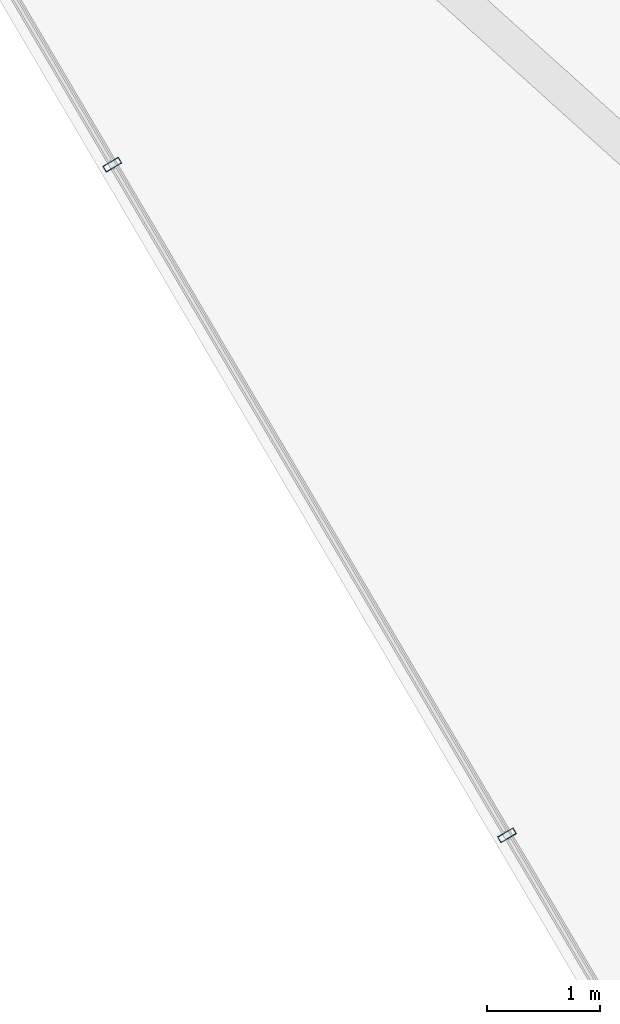
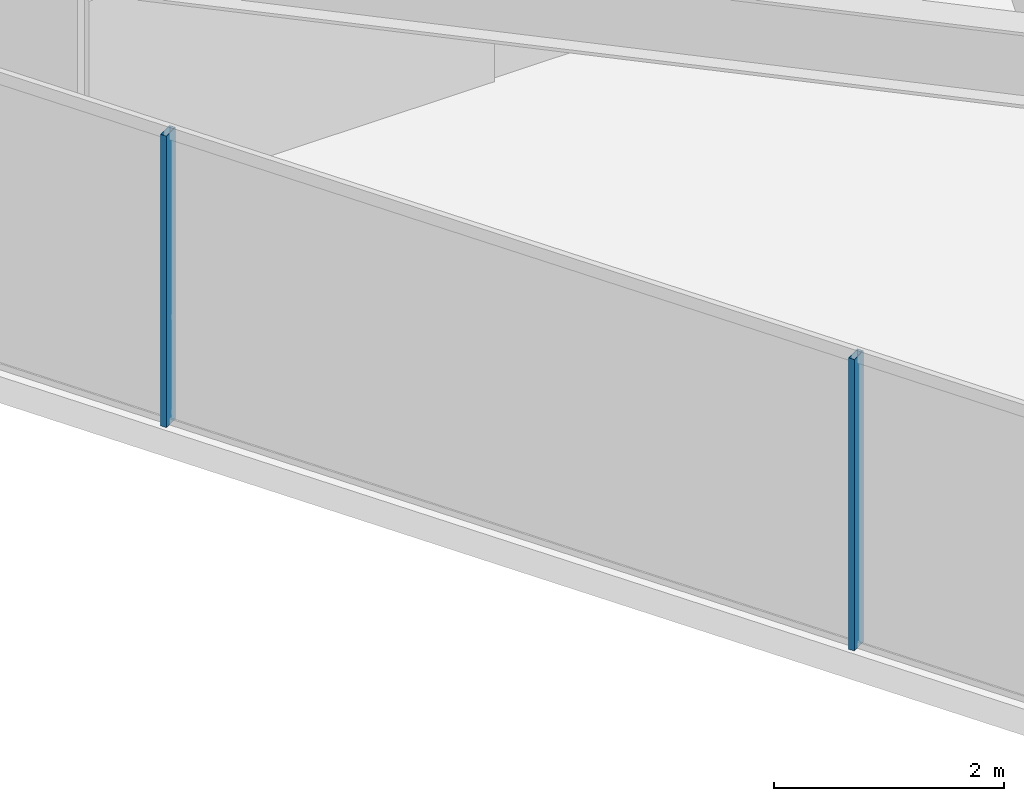
# One storey, part 3 of 31: 2 members, 1 element without a shape of its own.
"""IFC4 building model written with IfcOpenShell, lengths in metres."""

from ifc_helpers import new_model, si_unit, direction, frame, origin, origin_2d, place, context, subcontext, project, spatial, hollow_rectangle, extrude, material, layer, layer_set, material_profile, profile_set, type_object, element, aggregate, save


model = new_model("IFC4")

# Units and contexts
model_context = context("Model", 3, precision=1e-05, world=origin(), true_north=direction((0.0, 1.0)))
body_context = subcontext(model_context, "Body", "Model", "MODEL_VIEW")
ifc_project = project(units=[si_unit("LENGTHUNIT", "METRE"), si_unit("AREAUNIT", "SQUARE_METRE"), si_unit("VOLUMEUNIT", "CUBIC_METRE"), si_unit("PLANEANGLEUNIT", "RADIAN"), si_unit("MASSUNIT", "GRAM", prefix="KILO")], contexts=[model_context])

# Site, building, storey
site_placement = place(None, origin())
site = spatial("IfcSite", under=ifc_project, at=site_placement, CompositionType="ELEMENT")
building_placement = place(site_placement, origin())
building = spatial("IfcBuilding", under=site, at=building_placement, Name="Qarnah Convention Tower", CompositionType="ELEMENT")
storey_placement = place(building_placement, frame((0.0, 0.0, 68.39990234375)))
storey = spatial("IfcBuildingStorey", under=building, at=storey_placement, Name="L17", CompositionType="ELEMENT", Elevation=68.39990234375)

# Curtain wall, members
ifc_material_1 = material(Name="Tempered Low-E dark glass", Category="glass")
ifc_layer = layer(ifc_material_1, 0.16796875)
ifc_layer_set = layer_set([ifc_layer], Name="Tempered Low-E dark glass")
curtain_wall_type = type_object("IfcCurtainWallType", Name="CWS-01", PredefinedType="NOTDEFINED", material=ifc_layer_set)
curtain_wall_placement = place(storey_placement, origin())
curtain_wall = element("IfcCurtainWall", 1, at=curtain_wall_placement, inside=storey, type_object=curtain_wall_type, Name="L17 unitised curtain wall CW-L17-F3", PredefinedType="NOTDEFINED")
ifc_material_2 = material(Name="Black anodised aluminium", Category="aluminium")
ifc_material_profile = material_profile(ifc_material_2, hollow_rectangle(XDim=0.06005859375, YDim=0.159912109375, WallThickness=0.00390625, at=origin_2d()), Name="MUL-60X160")
ifc_profile_set = profile_set([ifc_material_profile], Name="Black anodised aluminium")
member_type = type_object("IfcMemberType", Name="MUL-T1", PredefinedType="MULLION", material=ifc_profile_set)
member_1_placement = place(storey_placement, frame((27.51611328125, 7.759521484375, 0.0), z_axis=(0.0, 0.0, 1.0), x_axis=(-0.507221231725, 0.861815886421, 0.0)))
member_1 = element("IfcMember", 2, at=member_1_placement, type_object=member_type, Name="CW-L17-F3 mullion 2", PredefinedType="MULLION", context=body_context, shape_type="SweptSolid", body=[
    extrude(hollow_rectangle(XDim=0.06005859375, YDim=0.159912109375, WallThickness=0.00390625, at=origin_2d()), origin(), (0.0, 0.0, 1.0), 3.090087890625),
])
member_2_placement = place(storey_placement, frame((24.033447265625, 13.67724609375, 0.0), z_axis=(0.0, 0.0, 1.0), x_axis=(-0.507221231725, 0.861815886421, 0.0)))
member_2 = element("IfcMember", 3, at=member_2_placement, type_object=member_type, Name="CW-L17-F3 mullion 3", PredefinedType="MULLION", context=body_context, shape_type="SweptSolid", body=[
    extrude(hollow_rectangle(XDim=0.06005859375, YDim=0.159912109375, WallThickness=0.00390625, at=origin_2d()), origin(), (0.0, 0.0, 1.0), 3.090087890625),
])
aggregate(curtain_wall, [member_1, member_2])

save(model, "model.ifc")
